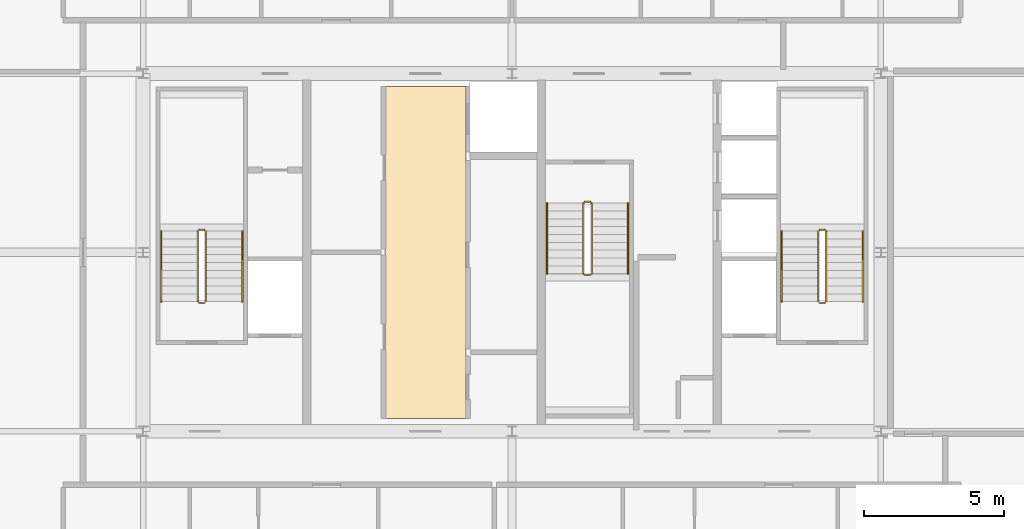
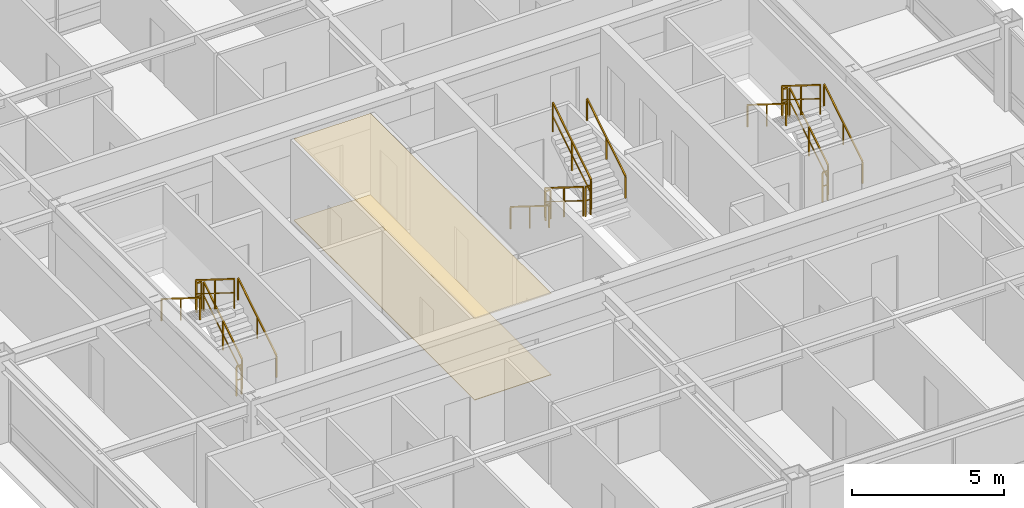
# One storey, part 35 of 35: 18 railings, 2 coverings.
"""IFC4 building model written with IfcOpenShell, lengths in metres."""

from ifc_helpers import new_model, si_unit, direction, frame, origin, origin_2d, place, context, subcontext, project, spatial, polyline, rectangle, outline, extrude, source, transform, mapped, material, layer, layer_set, type_object, element, save


model = new_model("IFC4")

# Units and contexts
model_context = context("Model", 3, precision=1e-05, world=origin(), true_north=direction((0.0, 1.0)))
body_context = subcontext(model_context, "Body", "Model", "MODEL_VIEW")
ifc_project = project(units=[si_unit("LENGTHUNIT", "METRE"), si_unit("AREAUNIT", "SQUARE_METRE"), si_unit("VOLUMEUNIT", "CUBIC_METRE"), si_unit("PLANEANGLEUNIT", "RADIAN"), si_unit("MASSUNIT", "GRAM", prefix="KILO"), si_unit("THERMODYNAMICTEMPERATUREUNIT", "KELVIN"), si_unit("POWERUNIT", "WATT")], contexts=[model_context])

# Site, building, storey
site_placement = place(None, origin())
site = spatial("IfcSite", under=ifc_project, at=site_placement, CompositionType="ELEMENT")
building_placement = place(site_placement, origin())
building = spatial("IfcBuilding", under=site, at=building_placement, Name="Yuzanri Waterfront Tower", CompositionType="ELEMENT")
storey_placement = place(building_placement, frame((0.0, 0.0, 296.10009765625)))
storey = spatial("IfcBuildingStorey", under=building, at=storey_placement, Name="L79", CompositionType="ELEMENT", Elevation=296.10009765625)

# Coverings
ifc_material_1 = material(Name="Engineered Smoked-Oak Timber", Category="wood")
ifc_layer_1 = layer(ifc_material_1, 0.02197265625)
ifc_layer_set_1 = layer_set([ifc_layer_1], Name="Engineered Smoked-Oak Timber")
covering_type_1 = type_object("IfcCoveringType", Name="Engineered Smoked-Oak Residence Flooring 22", PredefinedType="FLOORING", material=ifc_layer_set_1)
covering_1_placement = place(storey_placement, origin())
element("IfcCovering", 1, at=covering_1_placement, inside=storey, type_object=covering_type_1, Name="L79 Smoked-Oak Floor Finish", PredefinedType="FLOORING", context=body_context, shape_type="SweptSolid", body=[
    extrude(outline(polyline([(32.449951171875, 19.860107421875), (35.35009765625, 19.860107421875), (35.35009765625, 31.739990234375), (32.449951171875, 31.739990234375), (32.449951171875, 19.860107421875)])), origin(), (0.0, 0.0, 1.0), 0.02197265625),
])
ifc_material_2 = material(Name="Acoustic Mineral-Fibre Ceiling Board", Category="gypsum")
ifc_layer_2 = layer(ifc_material_2, 0.02490234375)
ifc_layer_set_2 = layer_set([ifc_layer_2], Name="Acoustic Mineral-Fibre Ceiling Board")
covering_type_2 = type_object("IfcCoveringType", Name="Perforated Mineral-Fibre Acoustic Ceiling Tile 25", PredefinedType="CEILING", material=ifc_layer_set_2)
covering_2_placement = place(storey_placement, frame((0.0, 0.0, 3.2548828125)))
element("IfcCovering", 2, at=covering_2_placement, inside=storey, type_object=covering_type_2, Name="L79 Acoustic Mineral-Fibre Ceiling", PredefinedType="CEILING", context=body_context, shape_type="SweptSolid", body=[
    extrude(outline(polyline([(32.449951171875, 19.860107421875), (35.35009765625, 19.860107421875), (35.35009765625, 31.739990234375), (32.449951171875, 31.739990234375), (32.449951171875, 19.860107421875)])), origin(), (0.0, 0.0, 1.0), 0.02490234375),
])

# Railings
ifc_material_3 = material(Name="Painted Galvanized Fire Steel", Category="steel")
ifc_layer_3 = layer(ifc_material_3, 0.06005859375)
ifc_layer_set_3 = layer_set([ifc_layer_3], Name="Painted Galvanized Fire Steel")
railing_type_1 = type_object("IfcRailingType", Name="Painted Steel Stairwell Guardrail 1120", PredefinedType="GUARDRAIL", material=ifc_layer_set_3)
shared_shape_1 = source(origin(), body_context, "Body", "SweptSolid", [
    extrude(rectangle(XDim=0.050048828125, YDim=0.050048828125, at=origin_2d()), frame((0.0, 0.0, 1.1748046875), z_axis=(-1.0, 0.0, 0.0), x_axis=(0.0, -1.0, 0.0)), (0.0, 0.0, 1.0), 0.199951171875),
    extrude(rectangle(XDim=0.035888671875, YDim=0.030029296875, at=origin_2d()), frame((0.0, 0.0, 0.6240234375), z_axis=(-1.0, 0.0, 0.0), x_axis=(0.0, -1.0, 0.0)), (0.0, 0.0, 1.0), 0.199951171875),
    extrude(rectangle(XDim=0.0458984375, YDim=0.0458984375, at=origin_2d()), origin(), (0.0, 0.0, 1.0), 1.14990234375),
    extrude(rectangle(XDim=0.0458984375, YDim=0.0458984375, at=origin_2d()), frame((-0.199951171875, 0.0, 0.0)), (0.0, 0.0, 1.0), 1.14990234375),
])
for number, where, name in (
    (3, (26.0, 26.610107421875, 1.75), "L79 ST-01 stair guard 2"),
    (4, (26.0, 23.989990234375, 0.0), "L79 ST-01 stair guard 4"),
    (5, (48.199951171875, 26.610107421875, 1.75), "L79 ST-02 stair guard 2"),
    (6, (48.199951171875, 23.989990234375, 0.0), "L79 ST-02 stair guard 4"),
):
    element("IfcRailing", number, at=place(storey_placement, frame(where)), inside=storey, type_object=railing_type_1, Name=name, PredefinedType="GUARDRAIL", context=body_context, shape_type="MappedRepresentation", body=[
        mapped(shared_shape_1, transform((0.0, 0.0, 0.0), scale=1.0)),
    ])
shared_shape_2 = source(origin(), body_context, "Body", "SweptSolid", [
    extrude(rectangle(XDim=0.050048828125, YDim=0.050048828125, at=origin_2d()), frame((0.0, 0.0, 1.1748046875), z_axis=(0.0, 0.847970611238, 0.530043245855), x_axis=(-1.0, 0.0, 0.0)), (0.0, 0.0, 1.0), 2.971923828125),
    extrude(rectangle(XDim=0.035888671875, YDim=0.030029296875, at=origin_2d()), frame((0.0, 0.0, 0.6240234375), z_axis=(0.0, 0.847970611238, 0.530043245855), x_axis=(-1.0, 0.0, 0.0)), (0.0, 0.0, 1.0), 2.971923828125),
    extrude(rectangle(XDim=0.0458984375, YDim=0.0458984375, at=origin_2d()), origin(), (0.0, 0.0, 1.0), 1.14990234375),
    extrude(rectangle(XDim=0.0458984375, YDim=0.0458984375, at=origin_2d()), frame((0.0, 1.260009765625, 0.78759765625)), (0.0, 0.0, 1.0), 1.14990234375),
    extrude(rectangle(XDim=0.0458984375, YDim=0.0458984375, at=origin_2d()), frame((0.0, 2.52001953125, 1.5751953125)), (0.0, 0.0, 1.0), 1.14990234375),
])
for number, where, name in (
    (7, (26.050048828125, 24.0400390625, 0.1748046875), "L79 ST-01 stair guard 1"),
    (8, (48.25, 24.0400390625, 0.1748046875), "L79 ST-02 stair guard 1"),
    (9, (39.85009765625, 25.0400390625, 1.9248046875), "L79 ST-03 stair guard 3"),
):
    element("IfcRailing", number, at=place(storey_placement, frame(where)), inside=storey, type_object=railing_type_1, Name=name, PredefinedType="GUARDRAIL", context=body_context, shape_type="MappedRepresentation", body=[
        mapped(shared_shape_2, transform((0.0, 0.0, 0.0), scale=1.0)),
    ])
shared_shape_3 = source(origin(), body_context, "Body", "SweptSolid", [
    extrude(rectangle(XDim=0.050048828125, YDim=0.050048828125, at=origin_2d()), frame((0.0, 0.0, 1.1748046875), z_axis=(0.0, -0.847970611238, 0.530043245855), x_axis=(1.0, 0.0, 0.0)), (0.0, 0.0, 1.0), 2.971923828125),
    extrude(rectangle(XDim=0.035888671875, YDim=0.030029296875, at=origin_2d()), frame((0.0, 0.0, 0.6240234375), z_axis=(0.0, -0.847970611238, 0.530043245855), x_axis=(1.0, 0.0, 0.0)), (0.0, 0.0, 1.0), 2.971923828125),
    extrude(rectangle(XDim=0.0458984375, YDim=0.0458984375, at=origin_2d()), origin(), (0.0, 0.0, 1.0), 1.14990234375),
    extrude(rectangle(XDim=0.0458984375, YDim=0.0458984375, at=origin_2d()), frame((0.0, -1.260009765625, 0.78759765625)), (0.0, 0.0, 1.0), 1.14990234375),
    extrude(rectangle(XDim=0.0458984375, YDim=0.0458984375, at=origin_2d()), frame((0.0, -2.52001953125, 1.5751953125)), (0.0, 0.0, 1.0), 1.14990234375),
])
for number, where, name in (
    (10, (25.75, 26.56005859375, 1.9248046875), "L79 ST-01 stair guard 3"),
    (11, (47.949951171875, 26.56005859375, 1.9248046875), "L79 ST-02 stair guard 3"),
    (12, (39.550048828125, 27.56005859375, 0.1748046875), "L79 ST-03 stair guard 1"),
):
    element("IfcRailing", number, at=place(storey_placement, frame(where)), inside=storey, type_object=railing_type_1, Name=name, PredefinedType="GUARDRAIL", context=body_context, shape_type="MappedRepresentation", body=[
        mapped(shared_shape_3, transform((0.0, 0.0, 0.0), scale=1.0)),
    ])
ifc_material_4 = material(Name="Anodized Architectural Bronze", Category="metal")
ifc_layer_4 = layer(ifc_material_4, 0.050048828125)
ifc_layer_set_4 = layer_set([ifc_layer_4], Name="Anodized Architectural Bronze")
railing_type_2 = type_object("IfcRailingType", Name="Brushed Bronze Stair Pitch Handrail 920", PredefinedType="HANDRAIL", material=ifc_layer_set_4)
shared_shape_4 = source(origin(), body_context, "Body", "SweptSolid", [
    extrude(rectangle(XDim=0.050048828125, YDim=0.050048828125, at=origin_2d()), frame((0.0, 0.0, 0.875), z_axis=(0.0, 0.847970611238, 0.530043245855), x_axis=(-1.0, 0.0, 0.0)), (0.0, 0.0, 1.0), 2.971923828125),
    extrude(rectangle(XDim=0.0458984375, YDim=0.0458984375, at=origin_2d()), origin(), (0.0, 0.0, 1.0), 0.849853515625),
    extrude(rectangle(XDim=0.0458984375, YDim=0.0458984375, at=origin_2d()), frame((0.0, 1.260009765625, 0.78759765625)), (0.0, 0.0, 1.0), 0.849853515625),
    extrude(rectangle(XDim=0.0458984375, YDim=0.0458984375, at=origin_2d()), frame((0.0, 2.52001953125, 1.5751953125)), (0.0, 0.0, 1.0), 0.849853515625),
])
for number, where, name in (
    (13, (27.35009765625, 24.0400390625, 0.1748046875), "L79 ST-01 stair handrail 1"),
    (14, (49.550048828125, 24.0400390625, 0.1748046875), "L79 ST-02 stair handrail 1"),
    (15, (41.14990234375, 25.0400390625, 1.9248046875), "L79 ST-03 stair handrail 2"),
):
    element("IfcRailing", number, at=place(storey_placement, frame(where)), inside=storey, type_object=railing_type_2, Name=name, PredefinedType="HANDRAIL", context=body_context, shape_type="MappedRepresentation", body=[
        mapped(shared_shape_4, transform((0.0, 0.0, 0.0), scale=1.0)),
    ])
shared_shape_5 = source(origin(), body_context, "Body", "SweptSolid", [
    extrude(rectangle(XDim=0.050048828125, YDim=0.050048828125, at=origin_2d()), frame((0.0, 0.0, 0.875), z_axis=(0.0, -0.847970611238, 0.530043245855), x_axis=(1.0, 0.0, 0.0)), (0.0, 0.0, 1.0), 2.971923828125),
    extrude(rectangle(XDim=0.0458984375, YDim=0.0458984375, at=origin_2d()), origin(), (0.0, 0.0, 1.0), 0.849853515625),
    extrude(rectangle(XDim=0.0458984375, YDim=0.0458984375, at=origin_2d()), frame((0.0, -1.260009765625, 0.78759765625)), (0.0, 0.0, 1.0), 0.849853515625),
    extrude(rectangle(XDim=0.0458984375, YDim=0.0458984375, at=origin_2d()), frame((0.0, -2.52001953125, 1.5751953125)), (0.0, 0.0, 1.0), 0.849853515625),
])
for number, where, name in (
    (16, (24.449951171875, 26.56005859375, 1.9248046875), "L79 ST-01 stair handrail 2"),
    (17, (46.64990234375, 26.56005859375, 1.9248046875), "L79 ST-02 stair handrail 2"),
    (18, (38.25, 27.56005859375, 0.1748046875), "L79 ST-03 stair handrail 1"),
):
    element("IfcRailing", number, at=place(storey_placement, frame(where)), inside=storey, type_object=railing_type_2, Name=name, PredefinedType="HANDRAIL", context=body_context, shape_type="MappedRepresentation", body=[
        mapped(shared_shape_5, transform((0.0, 0.0, 0.0), scale=1.0)),
    ])
shared_shape_6 = source(origin(), body_context, "Body", "SweptSolid", [
    extrude(rectangle(XDim=0.050048828125, YDim=0.050048828125, at=origin_2d()), frame((0.0, 0.0, 1.1748046875), z_axis=(1.0, 0.0, 0.0), x_axis=(0.0, 1.0, 0.0)), (0.0, 0.0, 1.0), 0.199951171875),
    extrude(rectangle(XDim=0.035888671875, YDim=0.030029296875, at=origin_2d()), frame((0.0, 0.0, 0.6240234375), z_axis=(1.0, 0.0, 0.0), x_axis=(0.0, 1.0, 0.0)), (0.0, 0.0, 1.0), 0.199951171875),
    extrude(rectangle(XDim=0.0458984375, YDim=0.0458984375, at=origin_2d()), origin(), (0.0, 0.0, 1.0), 1.14990234375),
    extrude(rectangle(XDim=0.0458984375, YDim=0.0458984375, at=origin_2d()), frame((0.199951171875, 0.0, 0.0)), (0.0, 0.0, 1.0), 1.14990234375),
])
for number, where, name in (
    (19, (39.60009765625, 24.989990234375, 1.75), "L79 ST-03 stair guard 2"),
    (20, (39.60009765625, 27.610107421875, 0.0), "L79 ST-03 stair guard 4"),
):
    element("IfcRailing", number, at=place(storey_placement, frame(where)), inside=storey, type_object=railing_type_1, Name=name, PredefinedType="GUARDRAIL", context=body_context, shape_type="MappedRepresentation", body=[
        mapped(shared_shape_6, transform((0.0, 0.0, 0.0), scale=1.0)),
    ])

save(model, "model.ifc")
